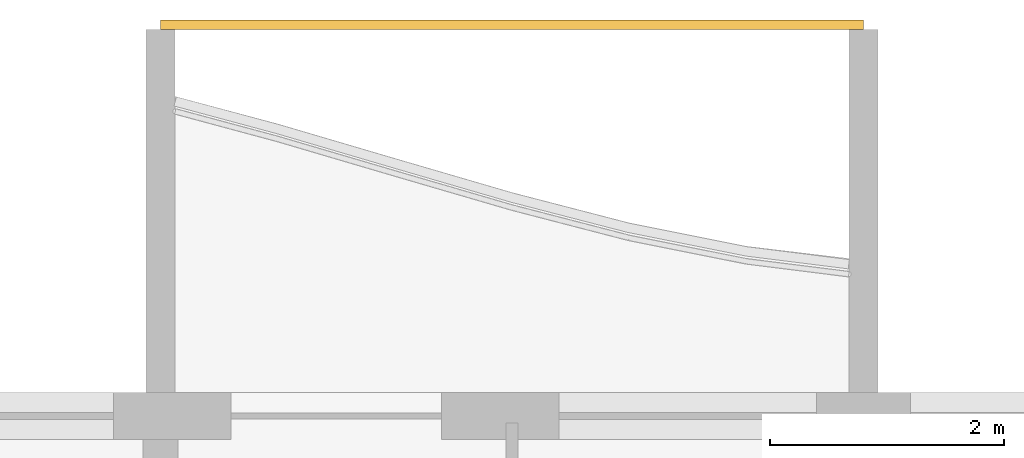
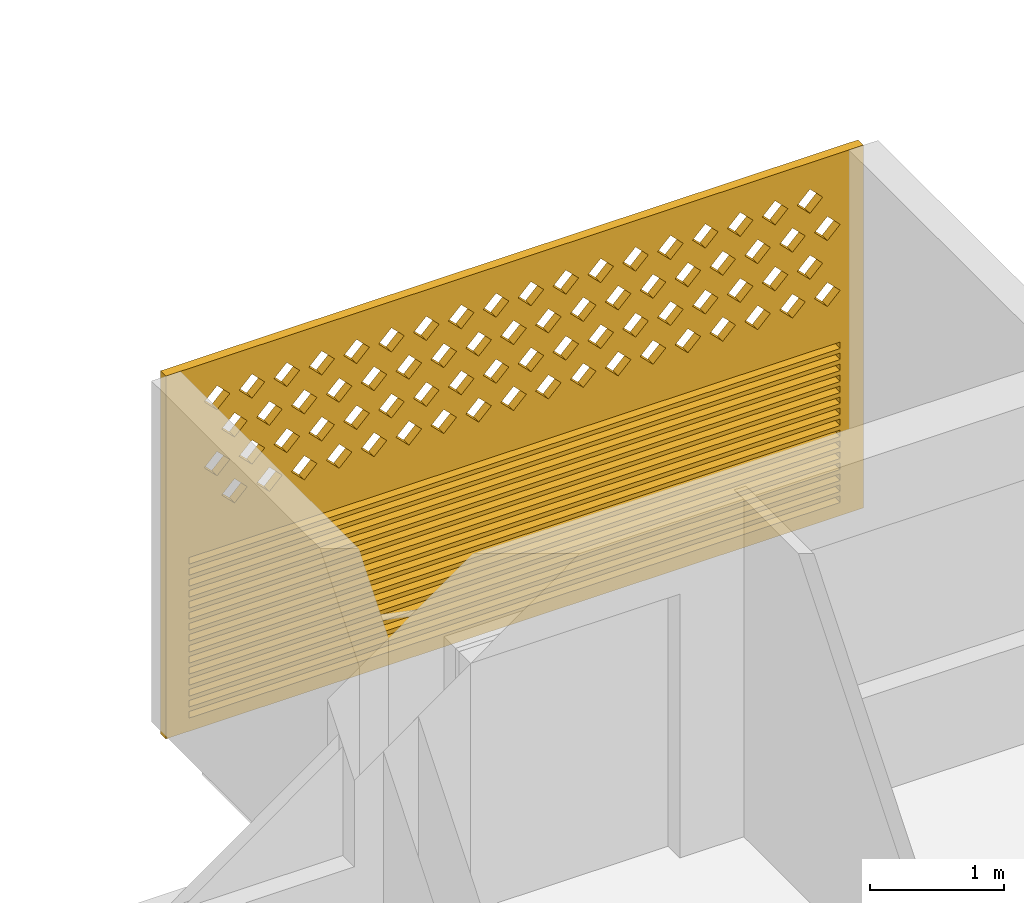
# One storey, part 21 of 31: 1 covering.
"""IFC4 building model written with IfcOpenShell, lengths in metres."""

from ifc_helpers import new_model, si_unit, direction, frame, origin, place, context, subcontext, project, spatial, polyline, outline, extrude, source, transform, mapped, material, material_profile, profile_set, type_object, element, save


model = new_model("IFC4")

# Units and contexts
model_context = context("Model", 3, precision=1e-05, world=origin(), true_north=direction((0.0, 1.0)))
body_context = subcontext(model_context, "Body", "Model", "MODEL_VIEW")
ifc_project = project(units=[si_unit("LENGTHUNIT", "METRE"), si_unit("AREAUNIT", "SQUARE_METRE"), si_unit("VOLUMEUNIT", "CUBIC_METRE"), si_unit("PLANEANGLEUNIT", "RADIAN"), si_unit("MASSUNIT", "GRAM", prefix="KILO")], contexts=[model_context])

# Site, building, storey
site_placement = place(None, origin())
site = spatial("IfcSite", under=ifc_project, at=site_placement, CompositionType="ELEMENT")
building_placement = place(site_placement, origin())
building = spatial("IfcBuilding", under=site, at=building_placement, Name="Poui Terraces", CompositionType="ELEMENT")
storey_placement = place(building_placement, frame((0.0, 0.0, 148.800048828125)))
storey = spatial("IfcBuildingStorey", under=building, at=storey_placement, Name="L41", CompositionType="ELEMENT", Elevation=148.800048828125)

# Covering
ifc_material = material(Name="Terracotta screen", Category="masonry")
ifc_material_profile = material_profile(ifc_material, outline(polyline([(-3.0, -1.64990234375), (3.0, -1.64990234375), (3.0, 1.64990234375), (-3.0, 1.64990234375), (-3.0, -1.64990234375)]), holes=[polyline([(-2.800048828125, 0.39990234375), (-2.68994140625, 0.2900390625), (-2.580078125, 0.39990234375), (-2.68994140625, 0.510009765625), (-2.800048828125, 0.39990234375)]), polyline([(-2.5, 0.39990234375), (-2.389892578125, 0.2900390625), (-2.280029296875, 0.39990234375), (-2.389892578125, 0.510009765625), (-2.5, 0.39990234375)]), polyline([(-2.199951171875, 0.39990234375), (-2.090087890625, 0.2900390625), (-1.97998046875, 0.39990234375), (-2.090087890625, 0.510009765625), (-2.199951171875, 0.39990234375)]), polyline([(-1.89990234375, 0.39990234375), (-1.7900390625, 0.2900390625), (-1.679931640625, 0.39990234375), (-1.7900390625, 0.510009765625), (-1.89990234375, 0.39990234375)]), polyline([(-1.60009765625, 0.39990234375), (-1.489990234375, 0.2900390625), (-1.3798828125, 0.39990234375), (-1.489990234375, 0.510009765625), (-1.60009765625, 0.39990234375)]), polyline([(-1.300048828125, 0.39990234375), (-1.18994140625, 0.2900390625), (-1.080078125, 0.39990234375), (-1.18994140625, 0.510009765625), (-1.300048828125, 0.39990234375)]), polyline([(-1.0, 0.39990234375), (-0.889892578125, 0.2900390625), (-0.780029296875, 0.39990234375), (-0.889892578125, 0.510009765625), (-1.0, 0.39990234375)]), polyline([(-0.699951171875, 0.39990234375), (-0.590087890625, 0.2900390625), (-0.47998046875, 0.39990234375), (-0.590087890625, 0.510009765625), (-0.699951171875, 0.39990234375)]), polyline([(-0.39990234375, 0.39990234375), (-0.2900390625, 0.2900390625), (-0.179931640625, 0.39990234375), (-0.2900390625, 0.510009765625), (-0.39990234375, 0.39990234375)]), polyline([(-0.10009765625, 0.39990234375), (0.010009765625, 0.2900390625), (0.1201171875, 0.39990234375), (0.010009765625, 0.510009765625), (-0.10009765625, 0.39990234375)]), polyline([(0.199951171875, 0.39990234375), (0.31005859375, 0.2900390625), (0.419921875, 0.39990234375), (0.31005859375, 0.510009765625), (0.199951171875, 0.39990234375)]), polyline([(0.5, 0.39990234375), (0.610107421875, 0.2900390625), (0.719970703125, 0.39990234375), (0.610107421875, 0.510009765625), (0.5, 0.39990234375)]), polyline([(0.800048828125, 0.39990234375), (0.909912109375, 0.2900390625), (1.02001953125, 0.39990234375), (0.909912109375, 0.510009765625), (0.800048828125, 0.39990234375)]), polyline([(1.10009765625, 0.39990234375), (1.2099609375, 0.2900390625), (1.320068359375, 0.39990234375), (1.2099609375, 0.510009765625), (1.10009765625, 0.39990234375)]), polyline([(1.39990234375, 0.39990234375), (1.510009765625, 0.2900390625), (1.6201171875, 0.39990234375), (1.510009765625, 0.510009765625), (1.39990234375, 0.39990234375)]), polyline([(1.699951171875, 0.39990234375), (1.81005859375, 0.2900390625), (1.919921875, 0.39990234375), (1.81005859375, 0.510009765625), (1.699951171875, 0.39990234375)]), polyline([(2.0, 0.39990234375), (2.110107421875, 0.2900390625), (2.219970703125, 0.39990234375), (2.110107421875, 0.510009765625), (2.0, 0.39990234375)]), polyline([(2.300048828125, 0.39990234375), (2.409912109375, 0.2900390625), (2.52001953125, 0.39990234375), (2.409912109375, 0.510009765625), (2.300048828125, 0.39990234375)]), polyline([(-2.64990234375, 0.699951171875), (-2.5400390625, 0.590087890625), (-2.429931640625, 0.699951171875), (-2.5400390625, 0.81005859375), (-2.64990234375, 0.699951171875)]), polyline([(-2.35009765625, 0.699951171875), (-2.239990234375, 0.590087890625), (-2.1298828125, 0.699951171875), (-2.239990234375, 0.81005859375), (-2.35009765625, 0.699951171875)]), polyline([(-2.050048828125, 0.699951171875), (-1.93994140625, 0.590087890625), (-1.830078125, 0.699951171875), (-1.93994140625, 0.81005859375), (-2.050048828125, 0.699951171875)]), polyline([(-1.75, 0.699951171875), (-1.639892578125, 0.590087890625), (-1.530029296875, 0.699951171875), (-1.639892578125, 0.81005859375), (-1.75, 0.699951171875)]), polyline([(-1.449951171875, 0.699951171875), (-1.340087890625, 0.590087890625), (-1.22998046875, 0.699951171875), (-1.340087890625, 0.81005859375), (-1.449951171875, 0.699951171875)]), polyline([(-1.14990234375, 0.699951171875), (-1.0400390625, 0.590087890625), (-0.929931640625, 0.699951171875), (-1.0400390625, 0.81005859375), (-1.14990234375, 0.699951171875)]), polyline([(-0.85009765625, 0.699951171875), (-0.739990234375, 0.590087890625), (-0.6298828125, 0.699951171875), (-0.739990234375, 0.81005859375), (-0.85009765625, 0.699951171875)]), polyline([(-0.550048828125, 0.699951171875), (-0.43994140625, 0.590087890625), (-0.330078125, 0.699951171875), (-0.43994140625, 0.81005859375), (-0.550048828125, 0.699951171875)]), polyline([(-0.25, 0.699951171875), (-0.139892578125, 0.590087890625), (-0.030029296875, 0.699951171875), (-0.139892578125, 0.81005859375), (-0.25, 0.699951171875)]), polyline([(0.050048828125, 0.699951171875), (0.159912109375, 0.590087890625), (0.27001953125, 0.699951171875), (0.159912109375, 0.81005859375), (0.050048828125, 0.699951171875)]), polyline([(0.35009765625, 0.699951171875), (0.4599609375, 0.590087890625), (0.570068359375, 0.699951171875), (0.4599609375, 0.81005859375), (0.35009765625, 0.699951171875)]), polyline([(0.64990234375, 0.699951171875), (0.760009765625, 0.590087890625), (0.8701171875, 0.699951171875), (0.760009765625, 0.81005859375), (0.64990234375, 0.699951171875)]), polyline([(0.949951171875, 0.699951171875), (1.06005859375, 0.590087890625), (1.169921875, 0.699951171875), (1.06005859375, 0.81005859375), (0.949951171875, 0.699951171875)]), polyline([(1.25, 0.699951171875), (1.360107421875, 0.590087890625), (1.469970703125, 0.699951171875), (1.360107421875, 0.81005859375), (1.25, 0.699951171875)]), polyline([(1.550048828125, 0.699951171875), (1.659912109375, 0.590087890625), (1.77001953125, 0.699951171875), (1.659912109375, 0.81005859375), (1.550048828125, 0.699951171875)]), polyline([(1.85009765625, 0.699951171875), (1.9599609375, 0.590087890625), (2.070068359375, 0.699951171875), (1.9599609375, 0.81005859375), (1.85009765625, 0.699951171875)]), polyline([(2.14990234375, 0.699951171875), (2.260009765625, 0.590087890625), (2.3701171875, 0.699951171875), (2.260009765625, 0.81005859375), (2.14990234375, 0.699951171875)]), polyline([(2.449951171875, 0.699951171875), (2.56005859375, 0.590087890625), (2.669921875, 0.699951171875), (2.56005859375, 0.81005859375), (2.449951171875, 0.699951171875)]), polyline([(-2.800048828125, 1.0), (-2.68994140625, 0.889892578125), (-2.580078125, 1.0), (-2.68994140625, 1.110107421875), (-2.800048828125, 1.0)]), polyline([(-2.5, 1.0), (-2.389892578125, 0.889892578125), (-2.280029296875, 1.0), (-2.389892578125, 1.110107421875), (-2.5, 1.0)]), polyline([(-2.199951171875, 1.0), (-2.090087890625, 0.889892578125), (-1.97998046875, 1.0), (-2.090087890625, 1.110107421875), (-2.199951171875, 1.0)]), polyline([(-1.89990234375, 1.0), (-1.7900390625, 0.889892578125), (-1.679931640625, 1.0), (-1.7900390625, 1.110107421875), (-1.89990234375, 1.0)]), polyline([(-1.60009765625, 1.0), (-1.489990234375, 0.889892578125), (-1.3798828125, 1.0), (-1.489990234375, 1.110107421875), (-1.60009765625, 1.0)]), polyline([(-1.300048828125, 1.0), (-1.18994140625, 0.889892578125), (-1.080078125, 1.0), (-1.18994140625, 1.110107421875), (-1.300048828125, 1.0)]), polyline([(-1.0, 1.0), (-0.889892578125, 0.889892578125), (-0.780029296875, 1.0), (-0.889892578125, 1.110107421875), (-1.0, 1.0)]), polyline([(-0.699951171875, 1.0), (-0.590087890625, 0.889892578125), (-0.47998046875, 1.0), (-0.590087890625, 1.110107421875), (-0.699951171875, 1.0)]), polyline([(-0.39990234375, 1.0), (-0.2900390625, 0.889892578125), (-0.179931640625, 1.0), (-0.2900390625, 1.110107421875), (-0.39990234375, 1.0)]), polyline([(-0.10009765625, 1.0), (0.010009765625, 0.889892578125), (0.1201171875, 1.0), (0.010009765625, 1.110107421875), (-0.10009765625, 1.0)]), polyline([(0.199951171875, 1.0), (0.31005859375, 0.889892578125), (0.419921875, 1.0), (0.31005859375, 1.110107421875), (0.199951171875, 1.0)]), polyline([(0.5, 1.0), (0.610107421875, 0.889892578125), (0.719970703125, 1.0), (0.610107421875, 1.110107421875), (0.5, 1.0)]), polyline([(0.800048828125, 1.0), (0.909912109375, 0.889892578125), (1.02001953125, 1.0), (0.909912109375, 1.110107421875), (0.800048828125, 1.0)]), polyline([(1.10009765625, 1.0), (1.2099609375, 0.889892578125), (1.320068359375, 1.0), (1.2099609375, 1.110107421875), (1.10009765625, 1.0)]), polyline([(1.39990234375, 1.0), (1.510009765625, 0.889892578125), (1.6201171875, 1.0), (1.510009765625, 1.110107421875), (1.39990234375, 1.0)]), polyline([(1.699951171875, 1.0), (1.81005859375, 0.889892578125), (1.919921875, 1.0), (1.81005859375, 1.110107421875), (1.699951171875, 1.0)]), polyline([(2.0, 1.0), (2.110107421875, 0.889892578125), (2.219970703125, 1.0), (2.110107421875, 1.110107421875), (2.0, 1.0)]), polyline([(2.300048828125, 1.0), (2.409912109375, 0.889892578125), (2.52001953125, 1.0), (2.409912109375, 1.110107421875), (2.300048828125, 1.0)]), polyline([(-2.64990234375, 1.300048828125), (-2.5400390625, 1.18994140625), (-2.429931640625, 1.300048828125), (-2.5400390625, 1.409912109375), (-2.64990234375, 1.300048828125)]), polyline([(-2.35009765625, 1.300048828125), (-2.239990234375, 1.18994140625), (-2.1298828125, 1.300048828125), (-2.239990234375, 1.409912109375), (-2.35009765625, 1.300048828125)]), polyline([(-2.050048828125, 1.300048828125), (-1.93994140625, 1.18994140625), (-1.830078125, 1.300048828125), (-1.93994140625, 1.409912109375), (-2.050048828125, 1.300048828125)]), polyline([(-1.75, 1.300048828125), (-1.639892578125, 1.18994140625), (-1.530029296875, 1.300048828125), (-1.639892578125, 1.409912109375), (-1.75, 1.300048828125)]), polyline([(-1.449951171875, 1.300048828125), (-1.340087890625, 1.18994140625), (-1.22998046875, 1.300048828125), (-1.340087890625, 1.409912109375), (-1.449951171875, 1.300048828125)]), polyline([(-1.14990234375, 1.300048828125), (-1.0400390625, 1.18994140625), (-0.929931640625, 1.300048828125), (-1.0400390625, 1.409912109375), (-1.14990234375, 1.300048828125)]), polyline([(-0.85009765625, 1.300048828125), (-0.739990234375, 1.18994140625), (-0.6298828125, 1.300048828125), (-0.739990234375, 1.409912109375), (-0.85009765625, 1.300048828125)]), polyline([(-0.550048828125, 1.300048828125), (-0.43994140625, 1.18994140625), (-0.330078125, 1.300048828125), (-0.43994140625, 1.409912109375), (-0.550048828125, 1.300048828125)]), polyline([(-0.25, 1.300048828125), (-0.139892578125, 1.18994140625), (-0.030029296875, 1.300048828125), (-0.139892578125, 1.409912109375), (-0.25, 1.300048828125)]), polyline([(0.050048828125, 1.300048828125), (0.159912109375, 1.18994140625), (0.27001953125, 1.300048828125), (0.159912109375, 1.409912109375), (0.050048828125, 1.300048828125)]), polyline([(0.35009765625, 1.300048828125), (0.4599609375, 1.18994140625), (0.570068359375, 1.300048828125), (0.4599609375, 1.409912109375), (0.35009765625, 1.300048828125)]), polyline([(0.64990234375, 1.300048828125), (0.760009765625, 1.18994140625), (0.8701171875, 1.300048828125), (0.760009765625, 1.409912109375), (0.64990234375, 1.300048828125)]), polyline([(0.949951171875, 1.300048828125), (1.06005859375, 1.18994140625), (1.169921875, 1.300048828125), (1.06005859375, 1.409912109375), (0.949951171875, 1.300048828125)]), polyline([(1.25, 1.300048828125), (1.360107421875, 1.18994140625), (1.469970703125, 1.300048828125), (1.360107421875, 1.409912109375), (1.25, 1.300048828125)]), polyline([(1.550048828125, 1.300048828125), (1.659912109375, 1.18994140625), (1.77001953125, 1.300048828125), (1.659912109375, 1.409912109375), (1.550048828125, 1.300048828125)]), polyline([(1.85009765625, 1.300048828125), (1.9599609375, 1.18994140625), (2.070068359375, 1.300048828125), (1.9599609375, 1.409912109375), (1.85009765625, 1.300048828125)]), polyline([(2.14990234375, 1.300048828125), (2.260009765625, 1.18994140625), (2.3701171875, 1.300048828125), (2.260009765625, 1.409912109375), (2.14990234375, 1.300048828125)]), polyline([(2.449951171875, 1.300048828125), (2.56005859375, 1.18994140625), (2.669921875, 1.300048828125), (2.56005859375, 1.409912109375), (2.449951171875, 1.300048828125)]), polyline([(-2.800048828125, -1.530029296875), (2.800048828125, -1.530029296875), (2.800048828125, -1.469970703125), (-2.800048828125, -1.469970703125), (-2.800048828125, -1.530029296875)]), polyline([(-2.800048828125, -1.429931640625), (2.800048828125, -1.429931640625), (2.800048828125, -1.3701171875), (-2.800048828125, -1.3701171875), (-2.800048828125, -1.429931640625)]), polyline([(-2.800048828125, -1.330078125), (2.800048828125, -1.330078125), (2.800048828125, -1.27001953125), (-2.800048828125, -1.27001953125), (-2.800048828125, -1.330078125)]), polyline([(-2.800048828125, -1.22998046875), (2.800048828125, -1.22998046875), (2.800048828125, -1.169921875), (-2.800048828125, -1.169921875), (-2.800048828125, -1.22998046875)]), polyline([(-2.800048828125, -1.1298828125), (2.800048828125, -1.1298828125), (2.800048828125, -1.070068359375), (-2.800048828125, -1.070068359375), (-2.800048828125, -1.1298828125)]), polyline([(-2.800048828125, -1.030029296875), (2.800048828125, -1.030029296875), (2.800048828125, -0.969970703125), (-2.800048828125, -0.969970703125), (-2.800048828125, -1.030029296875)]), polyline([(-2.800048828125, -0.929931640625), (2.800048828125, -0.929931640625), (2.800048828125, -0.8701171875), (-2.800048828125, -0.8701171875), (-2.800048828125, -0.929931640625)]), polyline([(-2.800048828125, -0.830078125), (2.800048828125, -0.830078125), (2.800048828125, -0.77001953125), (-2.800048828125, -0.77001953125), (-2.800048828125, -0.830078125)]), polyline([(-2.800048828125, -0.72998046875), (2.800048828125, -0.72998046875), (2.800048828125, -0.669921875), (-2.800048828125, -0.669921875), (-2.800048828125, -0.72998046875)]), polyline([(-2.800048828125, -0.6298828125), (2.800048828125, -0.6298828125), (2.800048828125, -0.570068359375), (-2.800048828125, -0.570068359375), (-2.800048828125, -0.6298828125)]), polyline([(-2.800048828125, -0.530029296875), (2.800048828125, -0.530029296875), (2.800048828125, -0.469970703125), (-2.800048828125, -0.469970703125), (-2.800048828125, -0.530029296875)]), polyline([(-2.800048828125, -0.429931640625), (2.800048828125, -0.429931640625), (2.800048828125, -0.3701171875), (-2.800048828125, -0.3701171875), (-2.800048828125, -0.429931640625)]), polyline([(-2.800048828125, -0.330078125), (2.800048828125, -0.330078125), (2.800048828125, -0.27001953125), (-2.800048828125, -0.27001953125), (-2.800048828125, -0.330078125)]), polyline([(-2.800048828125, -0.22998046875), (2.800048828125, -0.22998046875), (2.800048828125, -0.169921875), (-2.800048828125, -0.169921875), (-2.800048828125, -0.22998046875)]), polyline([(-2.800048828125, -0.1298828125), (2.800048828125, -0.1298828125), (2.800048828125, -0.070068359375), (-2.800048828125, -0.070068359375), (-2.800048828125, -0.1298828125)])]), Name="TERRACOTTA SCREEN AND JALOUSIE LOUVRE 6000X3300")
ifc_profile_set = profile_set([ifc_material_profile], Name="Terracotta screen")
covering_type = type_object("IfcCoveringType", Name="TERRACOTTA SCREEN AND JALOUSIE LOUVRE 6000X3300", PredefinedType="CLADDING", material=ifc_profile_set)
shared_shape = source(origin(), body_context, "Body", "SweptSolid", [
    extrude(outline(polyline([(-3.0, -1.64990234375), (3.0, -1.64990234375), (3.0, 1.64990234375), (-3.0, 1.64990234375), (-3.0, -1.64990234375)]), holes=[polyline([(-2.800048828125, 0.39990234375), (-2.68994140625, 0.2900390625), (-2.580078125, 0.39990234375), (-2.68994140625, 0.510009765625), (-2.800048828125, 0.39990234375)]), polyline([(-2.5, 0.39990234375), (-2.389892578125, 0.2900390625), (-2.280029296875, 0.39990234375), (-2.389892578125, 0.510009765625), (-2.5, 0.39990234375)]), polyline([(-2.199951171875, 0.39990234375), (-2.090087890625, 0.2900390625), (-1.97998046875, 0.39990234375), (-2.090087890625, 0.510009765625), (-2.199951171875, 0.39990234375)]), polyline([(-1.89990234375, 0.39990234375), (-1.7900390625, 0.2900390625), (-1.679931640625, 0.39990234375), (-1.7900390625, 0.510009765625), (-1.89990234375, 0.39990234375)]), polyline([(-1.60009765625, 0.39990234375), (-1.489990234375, 0.2900390625), (-1.3798828125, 0.39990234375), (-1.489990234375, 0.510009765625), (-1.60009765625, 0.39990234375)]), polyline([(-1.300048828125, 0.39990234375), (-1.18994140625, 0.2900390625), (-1.080078125, 0.39990234375), (-1.18994140625, 0.510009765625), (-1.300048828125, 0.39990234375)]), polyline([(-1.0, 0.39990234375), (-0.889892578125, 0.2900390625), (-0.780029296875, 0.39990234375), (-0.889892578125, 0.510009765625), (-1.0, 0.39990234375)]), polyline([(-0.699951171875, 0.39990234375), (-0.590087890625, 0.2900390625), (-0.47998046875, 0.39990234375), (-0.590087890625, 0.510009765625), (-0.699951171875, 0.39990234375)]), polyline([(-0.39990234375, 0.39990234375), (-0.2900390625, 0.2900390625), (-0.179931640625, 0.39990234375), (-0.2900390625, 0.510009765625), (-0.39990234375, 0.39990234375)]), polyline([(-0.10009765625, 0.39990234375), (0.010009765625, 0.2900390625), (0.1201171875, 0.39990234375), (0.010009765625, 0.510009765625), (-0.10009765625, 0.39990234375)]), polyline([(0.199951171875, 0.39990234375), (0.31005859375, 0.2900390625), (0.419921875, 0.39990234375), (0.31005859375, 0.510009765625), (0.199951171875, 0.39990234375)]), polyline([(0.5, 0.39990234375), (0.610107421875, 0.2900390625), (0.719970703125, 0.39990234375), (0.610107421875, 0.510009765625), (0.5, 0.39990234375)]), polyline([(0.800048828125, 0.39990234375), (0.909912109375, 0.2900390625), (1.02001953125, 0.39990234375), (0.909912109375, 0.510009765625), (0.800048828125, 0.39990234375)]), polyline([(1.10009765625, 0.39990234375), (1.2099609375, 0.2900390625), (1.320068359375, 0.39990234375), (1.2099609375, 0.510009765625), (1.10009765625, 0.39990234375)]), polyline([(1.39990234375, 0.39990234375), (1.510009765625, 0.2900390625), (1.6201171875, 0.39990234375), (1.510009765625, 0.510009765625), (1.39990234375, 0.39990234375)]), polyline([(1.699951171875, 0.39990234375), (1.81005859375, 0.2900390625), (1.919921875, 0.39990234375), (1.81005859375, 0.510009765625), (1.699951171875, 0.39990234375)]), polyline([(2.0, 0.39990234375), (2.110107421875, 0.2900390625), (2.219970703125, 0.39990234375), (2.110107421875, 0.510009765625), (2.0, 0.39990234375)]), polyline([(2.300048828125, 0.39990234375), (2.409912109375, 0.2900390625), (2.52001953125, 0.39990234375), (2.409912109375, 0.510009765625), (2.300048828125, 0.39990234375)]), polyline([(-2.64990234375, 0.699951171875), (-2.5400390625, 0.590087890625), (-2.429931640625, 0.699951171875), (-2.5400390625, 0.81005859375), (-2.64990234375, 0.699951171875)]), polyline([(-2.35009765625, 0.699951171875), (-2.239990234375, 0.590087890625), (-2.1298828125, 0.699951171875), (-2.239990234375, 0.81005859375), (-2.35009765625, 0.699951171875)]), polyline([(-2.050048828125, 0.699951171875), (-1.93994140625, 0.590087890625), (-1.830078125, 0.699951171875), (-1.93994140625, 0.81005859375), (-2.050048828125, 0.699951171875)]), polyline([(-1.75, 0.699951171875), (-1.639892578125, 0.590087890625), (-1.530029296875, 0.699951171875), (-1.639892578125, 0.81005859375), (-1.75, 0.699951171875)]), polyline([(-1.449951171875, 0.699951171875), (-1.340087890625, 0.590087890625), (-1.22998046875, 0.699951171875), (-1.340087890625, 0.81005859375), (-1.449951171875, 0.699951171875)]), polyline([(-1.14990234375, 0.699951171875), (-1.0400390625, 0.590087890625), (-0.929931640625, 0.699951171875), (-1.0400390625, 0.81005859375), (-1.14990234375, 0.699951171875)]), polyline([(-0.85009765625, 0.699951171875), (-0.739990234375, 0.590087890625), (-0.6298828125, 0.699951171875), (-0.739990234375, 0.81005859375), (-0.85009765625, 0.699951171875)]), polyline([(-0.550048828125, 0.699951171875), (-0.43994140625, 0.590087890625), (-0.330078125, 0.699951171875), (-0.43994140625, 0.81005859375), (-0.550048828125, 0.699951171875)]), polyline([(-0.25, 0.699951171875), (-0.139892578125, 0.590087890625), (-0.030029296875, 0.699951171875), (-0.139892578125, 0.81005859375), (-0.25, 0.699951171875)]), polyline([(0.050048828125, 0.699951171875), (0.159912109375, 0.590087890625), (0.27001953125, 0.699951171875), (0.159912109375, 0.81005859375), (0.050048828125, 0.699951171875)]), polyline([(0.35009765625, 0.699951171875), (0.4599609375, 0.590087890625), (0.570068359375, 0.699951171875), (0.4599609375, 0.81005859375), (0.35009765625, 0.699951171875)]), polyline([(0.64990234375, 0.699951171875), (0.760009765625, 0.590087890625), (0.8701171875, 0.699951171875), (0.760009765625, 0.81005859375), (0.64990234375, 0.699951171875)]), polyline([(0.949951171875, 0.699951171875), (1.06005859375, 0.590087890625), (1.169921875, 0.699951171875), (1.06005859375, 0.81005859375), (0.949951171875, 0.699951171875)]), polyline([(1.25, 0.699951171875), (1.360107421875, 0.590087890625), (1.469970703125, 0.699951171875), (1.360107421875, 0.81005859375), (1.25, 0.699951171875)]), polyline([(1.550048828125, 0.699951171875), (1.659912109375, 0.590087890625), (1.77001953125, 0.699951171875), (1.659912109375, 0.81005859375), (1.550048828125, 0.699951171875)]), polyline([(1.85009765625, 0.699951171875), (1.9599609375, 0.590087890625), (2.070068359375, 0.699951171875), (1.9599609375, 0.81005859375), (1.85009765625, 0.699951171875)]), polyline([(2.14990234375, 0.699951171875), (2.260009765625, 0.590087890625), (2.3701171875, 0.699951171875), (2.260009765625, 0.81005859375), (2.14990234375, 0.699951171875)]), polyline([(2.449951171875, 0.699951171875), (2.56005859375, 0.590087890625), (2.669921875, 0.699951171875), (2.56005859375, 0.81005859375), (2.449951171875, 0.699951171875)]), polyline([(-2.800048828125, 1.0), (-2.68994140625, 0.889892578125), (-2.580078125, 1.0), (-2.68994140625, 1.110107421875), (-2.800048828125, 1.0)]), polyline([(-2.5, 1.0), (-2.389892578125, 0.889892578125), (-2.280029296875, 1.0), (-2.389892578125, 1.110107421875), (-2.5, 1.0)]), polyline([(-2.199951171875, 1.0), (-2.090087890625, 0.889892578125), (-1.97998046875, 1.0), (-2.090087890625, 1.110107421875), (-2.199951171875, 1.0)]), polyline([(-1.89990234375, 1.0), (-1.7900390625, 0.889892578125), (-1.679931640625, 1.0), (-1.7900390625, 1.110107421875), (-1.89990234375, 1.0)]), polyline([(-1.60009765625, 1.0), (-1.489990234375, 0.889892578125), (-1.3798828125, 1.0), (-1.489990234375, 1.110107421875), (-1.60009765625, 1.0)]), polyline([(-1.300048828125, 1.0), (-1.18994140625, 0.889892578125), (-1.080078125, 1.0), (-1.18994140625, 1.110107421875), (-1.300048828125, 1.0)]), polyline([(-1.0, 1.0), (-0.889892578125, 0.889892578125), (-0.780029296875, 1.0), (-0.889892578125, 1.110107421875), (-1.0, 1.0)]), polyline([(-0.699951171875, 1.0), (-0.590087890625, 0.889892578125), (-0.47998046875, 1.0), (-0.590087890625, 1.110107421875), (-0.699951171875, 1.0)]), polyline([(-0.39990234375, 1.0), (-0.2900390625, 0.889892578125), (-0.179931640625, 1.0), (-0.2900390625, 1.110107421875), (-0.39990234375, 1.0)]), polyline([(-0.10009765625, 1.0), (0.010009765625, 0.889892578125), (0.1201171875, 1.0), (0.010009765625, 1.110107421875), (-0.10009765625, 1.0)]), polyline([(0.199951171875, 1.0), (0.31005859375, 0.889892578125), (0.419921875, 1.0), (0.31005859375, 1.110107421875), (0.199951171875, 1.0)]), polyline([(0.5, 1.0), (0.610107421875, 0.889892578125), (0.719970703125, 1.0), (0.610107421875, 1.110107421875), (0.5, 1.0)]), polyline([(0.800048828125, 1.0), (0.909912109375, 0.889892578125), (1.02001953125, 1.0), (0.909912109375, 1.110107421875), (0.800048828125, 1.0)]), polyline([(1.10009765625, 1.0), (1.2099609375, 0.889892578125), (1.320068359375, 1.0), (1.2099609375, 1.110107421875), (1.10009765625, 1.0)]), polyline([(1.39990234375, 1.0), (1.510009765625, 0.889892578125), (1.6201171875, 1.0), (1.510009765625, 1.110107421875), (1.39990234375, 1.0)]), polyline([(1.699951171875, 1.0), (1.81005859375, 0.889892578125), (1.919921875, 1.0), (1.81005859375, 1.110107421875), (1.699951171875, 1.0)]), polyline([(2.0, 1.0), (2.110107421875, 0.889892578125), (2.219970703125, 1.0), (2.110107421875, 1.110107421875), (2.0, 1.0)]), polyline([(2.300048828125, 1.0), (2.409912109375, 0.889892578125), (2.52001953125, 1.0), (2.409912109375, 1.110107421875), (2.300048828125, 1.0)]), polyline([(-2.64990234375, 1.300048828125), (-2.5400390625, 1.18994140625), (-2.429931640625, 1.300048828125), (-2.5400390625, 1.409912109375), (-2.64990234375, 1.300048828125)]), polyline([(-2.35009765625, 1.300048828125), (-2.239990234375, 1.18994140625), (-2.1298828125, 1.300048828125), (-2.239990234375, 1.409912109375), (-2.35009765625, 1.300048828125)]), polyline([(-2.050048828125, 1.300048828125), (-1.93994140625, 1.18994140625), (-1.830078125, 1.300048828125), (-1.93994140625, 1.409912109375), (-2.050048828125, 1.300048828125)]), polyline([(-1.75, 1.300048828125), (-1.639892578125, 1.18994140625), (-1.530029296875, 1.300048828125), (-1.639892578125, 1.409912109375), (-1.75, 1.300048828125)]), polyline([(-1.449951171875, 1.300048828125), (-1.340087890625, 1.18994140625), (-1.22998046875, 1.300048828125), (-1.340087890625, 1.409912109375), (-1.449951171875, 1.300048828125)]), polyline([(-1.14990234375, 1.300048828125), (-1.0400390625, 1.18994140625), (-0.929931640625, 1.300048828125), (-1.0400390625, 1.409912109375), (-1.14990234375, 1.300048828125)]), polyline([(-0.85009765625, 1.300048828125), (-0.739990234375, 1.18994140625), (-0.6298828125, 1.300048828125), (-0.739990234375, 1.409912109375), (-0.85009765625, 1.300048828125)]), polyline([(-0.550048828125, 1.300048828125), (-0.43994140625, 1.18994140625), (-0.330078125, 1.300048828125), (-0.43994140625, 1.409912109375), (-0.550048828125, 1.300048828125)]), polyline([(-0.25, 1.300048828125), (-0.139892578125, 1.18994140625), (-0.030029296875, 1.300048828125), (-0.139892578125, 1.409912109375), (-0.25, 1.300048828125)]), polyline([(0.050048828125, 1.300048828125), (0.159912109375, 1.18994140625), (0.27001953125, 1.300048828125), (0.159912109375, 1.409912109375), (0.050048828125, 1.300048828125)]), polyline([(0.35009765625, 1.300048828125), (0.4599609375, 1.18994140625), (0.570068359375, 1.300048828125), (0.4599609375, 1.409912109375), (0.35009765625, 1.300048828125)]), polyline([(0.64990234375, 1.300048828125), (0.760009765625, 1.18994140625), (0.8701171875, 1.300048828125), (0.760009765625, 1.409912109375), (0.64990234375, 1.300048828125)]), polyline([(0.949951171875, 1.300048828125), (1.06005859375, 1.18994140625), (1.169921875, 1.300048828125), (1.06005859375, 1.409912109375), (0.949951171875, 1.300048828125)]), polyline([(1.25, 1.300048828125), (1.360107421875, 1.18994140625), (1.469970703125, 1.300048828125), (1.360107421875, 1.409912109375), (1.25, 1.300048828125)]), polyline([(1.550048828125, 1.300048828125), (1.659912109375, 1.18994140625), (1.77001953125, 1.300048828125), (1.659912109375, 1.409912109375), (1.550048828125, 1.300048828125)]), polyline([(1.85009765625, 1.300048828125), (1.9599609375, 1.18994140625), (2.070068359375, 1.300048828125), (1.9599609375, 1.409912109375), (1.85009765625, 1.300048828125)]), polyline([(2.14990234375, 1.300048828125), (2.260009765625, 1.18994140625), (2.3701171875, 1.300048828125), (2.260009765625, 1.409912109375), (2.14990234375, 1.300048828125)]), polyline([(2.449951171875, 1.300048828125), (2.56005859375, 1.18994140625), (2.669921875, 1.300048828125), (2.56005859375, 1.409912109375), (2.449951171875, 1.300048828125)]), polyline([(-2.800048828125, -1.530029296875), (2.800048828125, -1.530029296875), (2.800048828125, -1.469970703125), (-2.800048828125, -1.469970703125), (-2.800048828125, -1.530029296875)]), polyline([(-2.800048828125, -1.429931640625), (2.800048828125, -1.429931640625), (2.800048828125, -1.3701171875), (-2.800048828125, -1.3701171875), (-2.800048828125, -1.429931640625)]), polyline([(-2.800048828125, -1.330078125), (2.800048828125, -1.330078125), (2.800048828125, -1.27001953125), (-2.800048828125, -1.27001953125), (-2.800048828125, -1.330078125)]), polyline([(-2.800048828125, -1.22998046875), (2.800048828125, -1.22998046875), (2.800048828125, -1.169921875), (-2.800048828125, -1.169921875), (-2.800048828125, -1.22998046875)]), polyline([(-2.800048828125, -1.1298828125), (2.800048828125, -1.1298828125), (2.800048828125, -1.070068359375), (-2.800048828125, -1.070068359375), (-2.800048828125, -1.1298828125)]), polyline([(-2.800048828125, -1.030029296875), (2.800048828125, -1.030029296875), (2.800048828125, -0.969970703125), (-2.800048828125, -0.969970703125), (-2.800048828125, -1.030029296875)]), polyline([(-2.800048828125, -0.929931640625), (2.800048828125, -0.929931640625), (2.800048828125, -0.8701171875), (-2.800048828125, -0.8701171875), (-2.800048828125, -0.929931640625)]), polyline([(-2.800048828125, -0.830078125), (2.800048828125, -0.830078125), (2.800048828125, -0.77001953125), (-2.800048828125, -0.77001953125), (-2.800048828125, -0.830078125)]), polyline([(-2.800048828125, -0.72998046875), (2.800048828125, -0.72998046875), (2.800048828125, -0.669921875), (-2.800048828125, -0.669921875), (-2.800048828125, -0.72998046875)]), polyline([(-2.800048828125, -0.6298828125), (2.800048828125, -0.6298828125), (2.800048828125, -0.570068359375), (-2.800048828125, -0.570068359375), (-2.800048828125, -0.6298828125)]), polyline([(-2.800048828125, -0.530029296875), (2.800048828125, -0.530029296875), (2.800048828125, -0.469970703125), (-2.800048828125, -0.469970703125), (-2.800048828125, -0.530029296875)]), polyline([(-2.800048828125, -0.429931640625), (2.800048828125, -0.429931640625), (2.800048828125, -0.3701171875), (-2.800048828125, -0.3701171875), (-2.800048828125, -0.429931640625)]), polyline([(-2.800048828125, -0.330078125), (2.800048828125, -0.330078125), (2.800048828125, -0.27001953125), (-2.800048828125, -0.27001953125), (-2.800048828125, -0.330078125)]), polyline([(-2.800048828125, -0.22998046875), (2.800048828125, -0.22998046875), (2.800048828125, -0.169921875), (-2.800048828125, -0.169921875), (-2.800048828125, -0.22998046875)]), polyline([(-2.800048828125, -0.1298828125), (2.800048828125, -0.1298828125), (2.800048828125, -0.070068359375), (-2.800048828125, -0.070068359375), (-2.800048828125, -0.1298828125)])]), origin(), (0.0, 0.0, 1.0), 0.080078125),
])
covering_placement = place(storey_placement, frame((39.0, 45.699951171875, 1.449951171875), z_axis=(0.0, 1.0, 0.0), x_axis=(-1.0, 0.0, 0.0)))
element("IfcCovering", 1, at=covering_placement, inside=storey, type_object=covering_type, Name="SOLAR SCREEN AND JALOUSIE LOUVRE", PredefinedType="CLADDING", context=body_context, shape_type="MappedRepresentation", body=[
    mapped(shared_shape, transform((0.0, 0.0, 0.0))),
])

save(model, "model.ifc")
